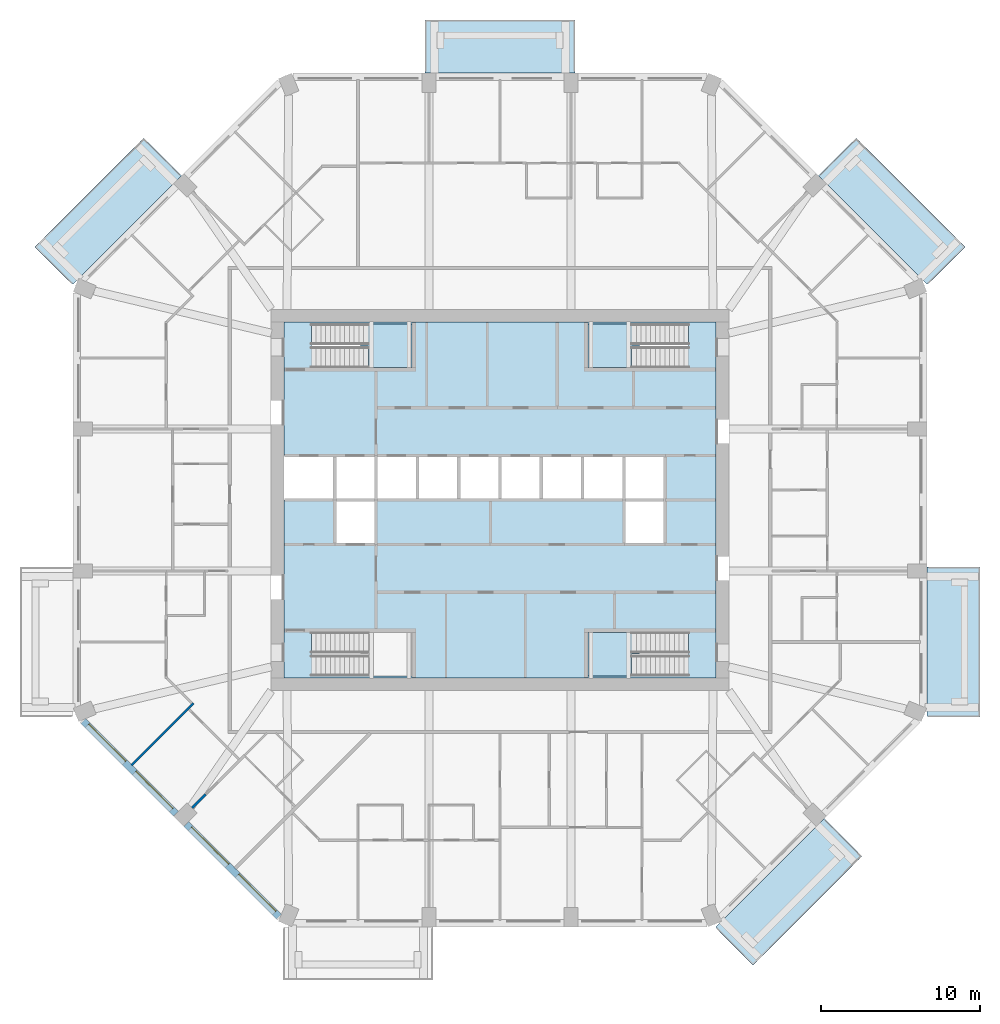
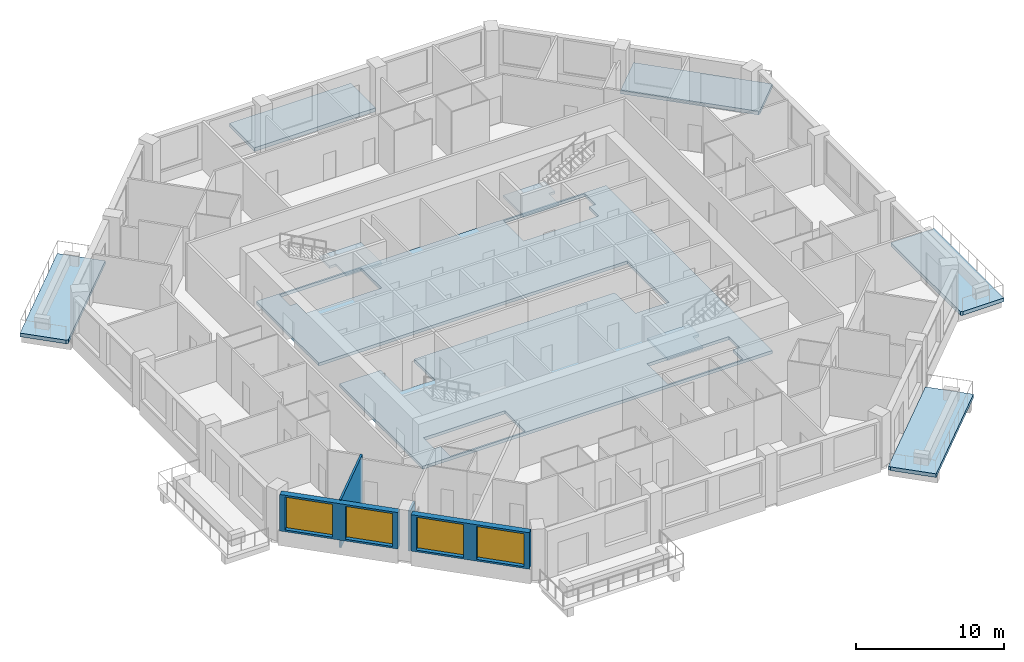
# One storey, part 2 of 12: 9 slabs, 4 walls, 4 windows, 4 openings, 3 elements without a shape of their own.
"""IFC4 building model written with IfcOpenShell, lengths in metres."""

from ifc_helpers import new_model, si_unit, direction, frame, frame_2d, origin, place, context, subcontext, project, spatial, polyline, rectangle, outline, extrude, material, layer, layer_set, type_object, element, fill, aggregate, save


model = new_model("IFC4")

# Units and contexts
model_context = context("Model", 3, precision=1e-05, world=origin(), true_north=direction((0.0, 1.0)))
body_context = subcontext(model_context, "Body", "Model", "MODEL_VIEW")
ifc_project = project(units=[si_unit("LENGTHUNIT", "METRE"), si_unit("AREAUNIT", "SQUARE_METRE"), si_unit("VOLUMEUNIT", "CUBIC_METRE"), si_unit("PLANEANGLEUNIT", "RADIAN"), si_unit("MASSUNIT", "GRAM", prefix="KILO")], contexts=[model_context])

# Site, building, storey
site_placement = place(None, origin())
site = spatial("IfcSite", under=ifc_project, at=site_placement, CompositionType="ELEMENT")
building_placement = place(site_placement, origin())
building = spatial("IfcBuilding", under=site, at=building_placement, Name="Msitu Wima Residences", CompositionType="ELEMENT")
storey_placement = place(building_placement, frame((0.0, 0.0, 123.300048828125)))
storey = spatial("IfcBuildingStorey", under=building, at=storey_placement, Name="L28", CompositionType="ELEMENT", Elevation=123.300048828125)

# Slabs
ifc_material_1 = material(Name="Concrete C40/50", Category="concrete")
ifc_layer_1 = layer(ifc_material_1, 0.300048828125)
ifc_layer_set_1 = layer_set([ifc_layer_1], Name="Concrete C40/50")
slab_type_1 = type_object("IfcSlabType", Name="Balcony slab BS300", PredefinedType="FLOOR", material=ifc_layer_set_1)
slab_1_placement = place(storey_placement, frame((0.0, 0.0, -0.300048828125)))
element("IfcSlab", 1, at=slab_1_placement, inside=storey, type_object=slab_type_1, Name="Balcony E0 L28", PredefinedType="FLOOR", context=body_context, shape_type="SweptSolid", body=[
    extrude(outline(polyline([(26.85009765625, -13.105224609375), (26.85009765625, -13.105224609375), (26.85009765625, -4.918701171875), (26.85009765625, -4.918701171875), (26.85009765625, -4.21875), (30.199951171875, -4.21875), (30.199951171875, -13.656005859375), (27.003662109375, -13.656005859375), (26.85009765625, -13.59228515625), (26.85009765625, -13.105224609375), (26.85009765625, -13.105224609375)])), origin(), (0.0, 0.0, 1.0), 0.300048828125),
])
slab_2_placement = place(storey_placement, frame((0.0, 0.0, -0.300048828125)))
element("IfcSlab", 2, at=slab_2_placement, inside=storey, type_object=slab_type_1, Name="Balcony NE0 L28", PredefinedType="FLOOR", context=body_context, shape_type="SweptSolid", body=[
    extrude(outline(polyline([(22.4130859375, 22.766845703125), (29.263671875, 15.916015625), (27.003662109375, 13.656005859375), (26.85009765625, 13.59228515625), (20.04443359375, 20.39794921875), (22.4130859375, 22.766845703125)])), origin(), (0.0, 0.0, 1.0), 0.300048828125),
])
slab_3_placement = place(storey_placement, frame((0.0, 0.0, -0.300048828125)))
element("IfcSlab", 3, at=slab_3_placement, inside=storey, type_object=slab_type_1, Name="Balcony N1 L28", PredefinedType="FLOOR", context=body_context, shape_type="SweptSolid", body=[
    extrude(outline(polyline([(-4.0185546875, 26.85009765625), (-4.0185546875, 26.85009765625), (-4.71875, 26.85009765625), (-4.71875, 30.199951171875), (4.71875, 30.199951171875), (4.71875, 26.85009765625), (4.0185546875, 26.85009765625), (4.0185546875, 26.85009765625), (-4.0185546875, 26.85009765625)])), origin(), (0.0, 0.0, 1.0), 0.300048828125),
])
slab_4_placement = place(storey_placement, frame((0.0, 0.0, -0.300048828125)))
element("IfcSlab", 4, at=slab_4_placement, inside=storey, type_object=slab_type_1, Name="Balcony NW1 L28", PredefinedType="FLOOR", context=body_context, shape_type="SweptSolid", body=[
    extrude(outline(polyline([(-29.263671875, 15.916015625), (-22.4130859375, 22.766845703125), (-20.04443359375, 20.39794921875), (-26.85009765625, 13.59228515625), (-27.003662109375, 13.656005859375), (-29.263671875, 15.916015625)])), origin(), (0.0, 0.0, 1.0), 0.300048828125),
])
slab_5_placement = place(storey_placement, frame((0.0, 0.0, -0.300048828125)))
element("IfcSlab", 5, at=slab_5_placement, inside=storey, type_object=slab_type_1, Name="Balcony SE0 L28", PredefinedType="FLOOR", context=body_context, shape_type="SweptSolid", body=[
    extrude(outline(polyline([(22.766845703125, -22.4130859375), (15.916015625, -29.263671875), (13.656005859375, -27.003662109375), (13.59228515625, -26.85009765625), (20.39794921875, -20.04443359375), (22.766845703125, -22.4130859375)])), origin(), (0.0, 0.0, 1.0), 0.300048828125),
])
ifc_layer_2 = layer(ifc_material_1, 0.25)
ifc_layer_set_2 = layer_set([ifc_layer_2], Name="Concrete C40/50")
slab_type_2 = type_object("IfcSlabType", Name="Core floor CF250", PredefinedType="FLOOR", material=ifc_layer_set_2)
slab_6_placement = place(storey_placement, frame((0.0, 0.0, -0.25)))
element("IfcSlab", 6, at=slab_6_placement, inside=storey, type_object=slab_type_2, Name="Core floor", PredefinedType="FLOOR", context=body_context, shape_type="SweptSolid", body=[
    extrude(outline(polyline([(-13.60009765625, 11.199951171875), (-13.60009765625, 2.800048828125), (-10.39990234375, 2.800048828125), (-7.800048828125, 2.800048828125), (-5.199951171875, 2.800048828125), (-2.60009765625, 2.800048828125), (0.0, 2.800048828125), (2.60009765625, 2.800048828125), (5.199951171875, 2.800048828125), (7.800048828125, 2.800048828125), (10.39990234375, 2.800048828125), (10.39990234375, 0.0), (10.39990234375, -2.800048828125), (7.800048828125, -2.800048828125), (7.800048828125, 0.0), (5.199951171875, 0.0), (2.60009765625, 0.0), (0.0, 0.0), (-2.60009765625, 0.0), (-5.199951171875, 0.0), (-7.800048828125, 0.0), (-7.800048828125, -2.800048828125), (-10.39990234375, -2.800048828125), (-10.39990234375, 0.0), (-13.60009765625, 0.0), (-13.60009765625, -11.199951171875), (13.60009765625, -11.199951171875), (13.60009765625, 11.199951171875), (-13.60009765625, 11.199951171875)]), holes=[polyline([(-11.375, -11.074951171875), (-11.375, -9.77490234375), (-11.87451171875, -9.77490234375), (-11.87451171875, -8.324951171875), (-5.52490234375, -8.324951171875), (-5.52490234375, -11.074951171875), (-11.375, -11.074951171875)]), polyline([(-11.375, 9.625), (-11.87451171875, 9.625), (-11.87451171875, 11.074951171875), (-5.52490234375, 11.074951171875), (-5.52490234375, 8.324951171875), (-11.375, 8.324951171875), (-11.375, 9.625)]), polyline([(11.375, -9.77490234375), (11.375, -11.074951171875), (5.52490234375, -11.074951171875), (5.52490234375, -8.324951171875), (11.87451171875, -8.324951171875), (11.87451171875, -9.77490234375), (11.375, -9.77490234375)]), polyline([(11.375, 9.625), (11.375, 8.324951171875), (5.52490234375, 8.324951171875), (5.52490234375, 11.074951171875), (11.87451171875, 11.074951171875), (11.87451171875, 9.625), (11.375, 9.625)])]), origin(), (0.0, 0.0, 1.0), 0.25),
])

# Stair, slab
stair_type = type_object("IfcStairType", Name="Exit stair ES1615-130", PredefinedType="HALF_TURN_STAIR", material=ifc_material_1)
stair_1_placement = place(storey_placement, origin())
stair_1 = element("IfcStair", 7, at=stair_1_placement, inside=storey, type_object=stair_type, Name="Exit stair 1", PredefinedType="HALF_TURN_STAIR")
ifc_layer_3 = layer(ifc_material_1, 0.199951171875)
ifc_layer_set_3 = layer_set([ifc_layer_3], Name="Concrete C40/50")
slab_type_3 = type_object("IfcSlabType", Name="Stair landing SL200", PredefinedType="LANDING", material=ifc_layer_set_3)
slab_7_placement = place(storey_placement, frame((0.0, 0.0, 1.89990234375)))
slab_7 = element("IfcSlab", 8, at=slab_7_placement, type_object=slab_type_3, Name="S1 landing 1", PredefinedType="LANDING", context=body_context, shape_type="SweptSolid", body=[
    extrude(outline(polyline([(-5.52490234375, 8.324951171875), (-8.275390625, 8.324951171875), (-8.275390625, 9.699951171875), (-8.77490234375, 9.699951171875), (-8.77490234375, 11.074951171875), (-5.52490234375, 11.074951171875), (-5.52490234375, 8.324951171875)])), origin(), (0.0, 0.0, 1.0), 0.199951171875),
])
aggregate(stair_1, [slab_7])

stair_2_placement = place(storey_placement, origin())
stair_2 = element("IfcStair", 9, at=stair_2_placement, inside=storey, type_object=stair_type, Name="Exit stair 3", PredefinedType="HALF_TURN_STAIR")
slab_8_placement = place(storey_placement, frame((0.0, 0.0, 1.89990234375)))
slab_8 = element("IfcSlab", 10, at=slab_8_placement, type_object=slab_type_3, Name="S3 landing 1", PredefinedType="LANDING", context=body_context, shape_type="SweptSolid", body=[
    extrude(outline(polyline([(5.52490234375, 8.324951171875), (8.275390625, 8.324951171875), (8.275390625, 9.699951171875), (8.77490234375, 9.699951171875), (8.77490234375, 11.074951171875), (5.52490234375, 11.074951171875), (5.52490234375, 8.324951171875)])), origin(), (0.0, 0.0, 1.0), 0.199951171875),
])
aggregate(stair_2, [slab_8])

stair_3_placement = place(storey_placement, origin())
stair_3 = element("IfcStair", 11, at=stair_3_placement, inside=storey, type_object=stair_type, Name="Exit stair 4", PredefinedType="HALF_TURN_STAIR")
slab_9_placement = place(storey_placement, frame((0.0, 0.0, 1.89990234375)))
slab_9 = element("IfcSlab", 12, at=slab_9_placement, type_object=slab_type_3, Name="S4 landing 1", PredefinedType="LANDING", context=body_context, shape_type="SweptSolid", body=[
    extrude(outline(polyline([(5.52490234375, -11.074951171875), (8.275390625, -11.074951171875), (8.275390625, -9.699951171875), (8.77490234375, -9.699951171875), (8.77490234375, -8.324951171875), (5.52490234375, -8.324951171875), (5.52490234375, -11.074951171875)])), origin(), (0.0, 0.0, 1.0), 0.199951171875),
])
aggregate(stair_3, [slab_9])

# Wall, openings, windows
ifc_material_2 = material(Name="Brick (red buff mix)", Category="masonry")
ifc_layer_4 = layer(ifc_material_2, 0.449951171875)
ifc_layer_set_4 = layer_set([ifc_layer_4], Name="Brick (red buff mix)")
wall_type_1 = type_object("IfcWallType", Name="Brick infill wall BW450", PredefinedType="SOLIDWALL", material=ifc_layer_set_4)
wall_1_placement = place(storey_placement, frame((-26.214599609375, -13.909423828125, 0.89990234375), z_axis=(0.0, 0.0, 1.0), x_axis=(0.707106781187, -0.707106781187, 0.0)))
wall_1 = element("IfcWall", 13, at=wall_1_placement, inside=storey, type_object=wall_type_1, Name="Brick infill wall L28 SW0", PredefinedType="SOLIDWALL", context=body_context, shape_type="SweptSolid", body=[
    extrude(rectangle(XDim=8.251220703125, YDim=0.449951171875, at=frame_2d((4.12548828125, 0.0))), origin(), (0.0, 0.0, 1.0), 3.0),
])
opening_1_placement = place(wall_1_placement, frame((0.37548828125, 0.0, 0.14990234375)))
opening_1 = element("IfcOpeningElement", 14, at=opening_1_placement, cuts=wall_1, Name="Opening W27-29.025", PredefinedType="OPENING", context=body_context, shape_type="SweptSolid", body=[
    extrude(rectangle(XDim=3.300048828125, YDim=2.699951171875, at=frame_2d((1.64990234375, 1.35009765625))), frame((0.0, 0.23486328125, 0.0), z_axis=(0.0, -1.0, 0.0), x_axis=(1.0, 0.0, 0.0)), (0.0, 0.0, 1.0), 0.469970703125),
])
opening_2_placement = place(wall_1_placement, frame((4.57568359375, 0.0, 0.14990234375)))
opening_2 = element("IfcOpeningElement", 15, at=opening_2_placement, cuts=wall_1, Name="Opening W27-29.026", PredefinedType="OPENING", context=body_context, shape_type="SweptSolid", body=[
    extrude(rectangle(XDim=3.300048828125, YDim=2.699951171875, at=frame_2d((1.64990234375, 1.35009765625))), frame((0.0, 0.23486328125, 0.0), z_axis=(0.0, -1.0, 0.0), x_axis=(1.0, 0.0, 0.0)), (0.0, 0.0, 1.0), 0.469970703125),
])
ifc_material_3 = material(Name="Anodised aluminium, bronze finish, clear low-emissivity double glazing", Category="aluminium")
window_type = type_object("IfcWindowType", Name="Window W3300x2700", PartitioningType="DOUBLE_PANEL_VERTICAL", PredefinedType="WINDOW", material=ifc_material_3)
window_1_placement = place(opening_1_placement, origin())
window_1 = element("IfcWindow", 16, at=window_1_placement, inside=storey, type_object=window_type, Name="Window L28 SW0.1", OverallHeight=2.699951171875, OverallWidth=3.300048828125, PartitioningType="SINGLE_PANEL", PredefinedType="WINDOW", context=body_context, shape_type="SweptSolid", body=[
    extrude(rectangle(XDim=3.300048828125, YDim=2.699951171875, at=frame_2d((1.64990234375, 1.35009765625))), frame((0.0, 0.135009765625, 0.0), z_axis=(0.0, -1.0, 0.0), x_axis=(1.0, 0.0, 0.0)), (0.0, 0.0, 1.0), 0.06005859375),
])
fill(opening_1, window_1)
window_2_placement = place(opening_2_placement, origin())
window_2 = element("IfcWindow", 17, at=window_2_placement, inside=storey, type_object=window_type, Name="Window L28 SW0.2", OverallHeight=2.699951171875, OverallWidth=3.300048828125, PartitioningType="SINGLE_PANEL", PredefinedType="WINDOW", context=body_context, shape_type="SweptSolid", body=[
    extrude(rectangle(XDim=3.300048828125, YDim=2.699951171875, at=frame_2d((1.64990234375, 1.35009765625))), frame((0.0, 0.135009765625, 0.0), z_axis=(0.0, -1.0, 0.0), x_axis=(1.0, 0.0, 0.0)), (0.0, 0.0, 1.0), 0.06005859375),
])
fill(opening_2, window_2)

wall_2_placement = place(storey_placement, frame((-19.743896484375, -20.380126953125, 0.89990234375), z_axis=(0.0, 0.0, 1.0), x_axis=(0.707106781187, -0.707106781187, 0.0)))
wall_2 = element("IfcWall", 18, at=wall_2_placement, inside=storey, type_object=wall_type_1, Name="Brick infill wall L28 SW1", PredefinedType="SOLIDWALL", context=body_context, shape_type="SweptSolid", body=[
    extrude(rectangle(XDim=8.251220703125, YDim=0.449951171875, at=frame_2d((4.12548828125, 0.0))), origin(), (0.0, 0.0, 1.0), 3.0),
])
opening_3_placement = place(wall_2_placement, frame((0.37548828125, 0.0, 0.14990234375)))
opening_3 = element("IfcOpeningElement", 19, at=opening_3_placement, cuts=wall_2, Name="Opening W27-29.027", PredefinedType="OPENING", context=body_context, shape_type="SweptSolid", body=[
    extrude(rectangle(XDim=3.300048828125, YDim=2.699951171875, at=frame_2d((1.64990234375, 1.35009765625))), frame((0.0, 0.23486328125, 0.0), z_axis=(0.0, -1.0, 0.0), x_axis=(1.0, 0.0, 0.0)), (0.0, 0.0, 1.0), 0.469970703125),
])
opening_4_placement = place(wall_2_placement, frame((4.57568359375, 0.0, 0.14990234375)))
opening_4 = element("IfcOpeningElement", 20, at=opening_4_placement, cuts=wall_2, Name="Opening W27-29.028", PredefinedType="OPENING", context=body_context, shape_type="SweptSolid", body=[
    extrude(rectangle(XDim=3.300048828125, YDim=2.699951171875, at=frame_2d((1.64990234375, 1.35009765625))), frame((0.0, 0.23486328125, 0.0), z_axis=(0.0, -1.0, 0.0), x_axis=(1.0, 0.0, 0.0)), (0.0, 0.0, 1.0), 0.469970703125),
])
window_3_placement = place(opening_3_placement, origin())
window_3 = element("IfcWindow", 21, at=window_3_placement, inside=storey, type_object=window_type, Name="Window L28 SW1.1", OverallHeight=2.699951171875, OverallWidth=3.300048828125, PartitioningType="SINGLE_PANEL", PredefinedType="WINDOW", context=body_context, shape_type="SweptSolid", body=[
    extrude(rectangle(XDim=3.300048828125, YDim=2.699951171875, at=frame_2d((1.64990234375, 1.35009765625))), frame((0.0, 0.135009765625, 0.0), z_axis=(0.0, -1.0, 0.0), x_axis=(1.0, 0.0, 0.0)), (0.0, 0.0, 1.0), 0.06005859375),
])
fill(opening_3, window_3)
window_4_placement = place(opening_4_placement, origin())
window_4 = element("IfcWindow", 22, at=window_4_placement, inside=storey, type_object=window_type, Name="Window L28 SW1.2", OverallHeight=2.699951171875, OverallWidth=3.300048828125, PartitioningType="SINGLE_PANEL", PredefinedType="WINDOW", context=body_context, shape_type="SweptSolid", body=[
    extrude(rectangle(XDim=3.300048828125, YDim=2.699951171875, at=frame_2d((1.64990234375, 1.35009765625))), frame((0.0, 0.135009765625, 0.0), z_axis=(0.0, -1.0, 0.0), x_axis=(1.0, 0.0, 0.0)), (0.0, 0.0, 1.0), 0.06005859375),
])
fill(opening_4, window_4)

# Walls
ifc_material_4 = material(Name="Plaster")
ifc_layer_5 = layer(ifc_material_4, 0.011962890625, Name="Plaster")
ifc_material_5 = material(Name="Concrete blockwork", Category="masonry")
ifc_layer_6 = layer(ifc_material_5, 0.1259765625, Name="Concrete blockwork")
ifc_layer_7 = layer(ifc_material_4, 0.011962890625, Name="Plaster")
ifc_layer_set_5 = layer_set([ifc_layer_5, ifc_layer_6, ifc_layer_7], Name="Concrete blockwork")
wall_type_2 = type_object("IfcWallType", Name="Partition PW150", PredefinedType="PARTITIONING", material=ifc_layer_set_5)
wall_3_placement = place(storey_placement, frame((-23.1904296875, -16.693359375, 0.0), z_axis=(0.0, 0.0, 1.0), x_axis=(0.707106781187, 0.707106781187, 0.0)))
element("IfcWall", 23, at=wall_3_placement, inside=storey, type_object=wall_type_2, Name="Partition", PredefinedType="PARTITIONING", context=body_context, shape_type="SweptSolid", body=[
    extrude(rectangle(XDim=5.530029296875, YDim=0.14990234375, at=frame_2d((2.76513671875, 0.0))), origin(), (0.0, 0.0, 1.0), 3.949951171875),
])
wall_4_placement = place(storey_placement, frame((-19.37255859375, -19.37255859375, 0.0), z_axis=(0.0, 0.0, 1.0), x_axis=(0.707106781187, 0.707106781187, 0.0)))
element("IfcWall", 24, at=wall_4_placement, inside=storey, type_object=wall_type_2, Name="Partition", PredefinedType="PARTITIONING", context=body_context, shape_type="SweptSolid", body=[
    extrude(rectangle(XDim=1.209228515625, YDim=0.14990234375, at=frame_2d((0.6044921875, 0.0))), origin(), (0.0, 0.0, 1.0), 3.300048828125),
])

save(model, "model.ifc")
